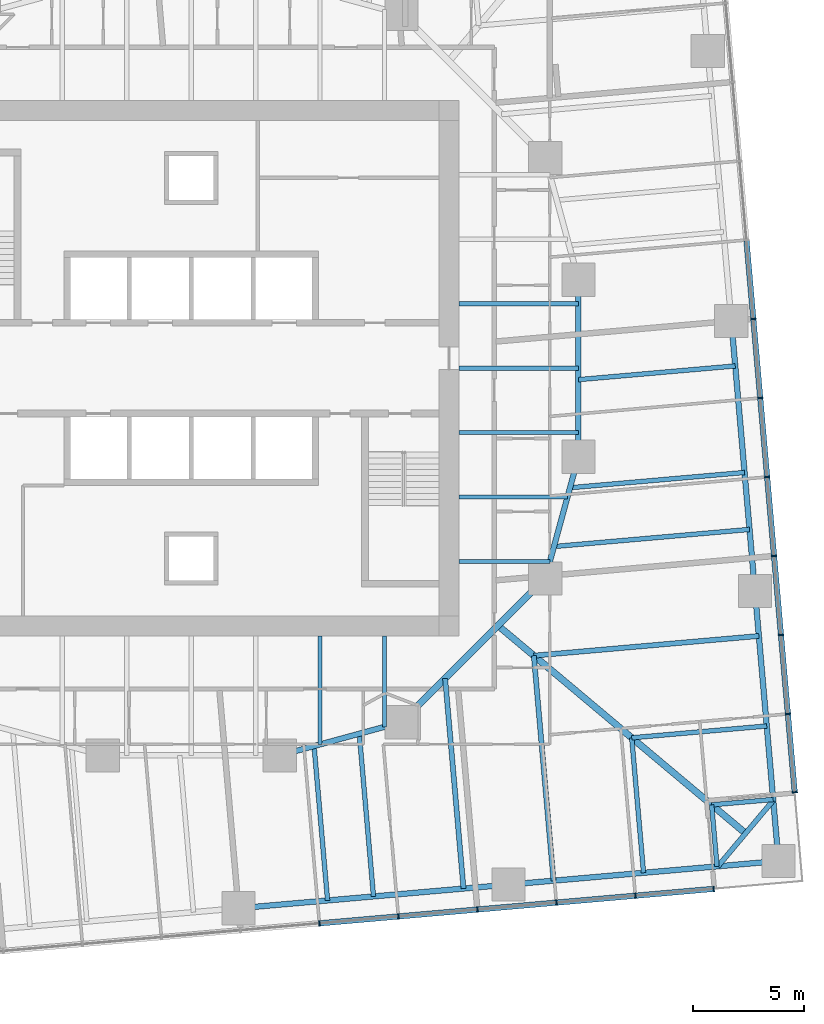
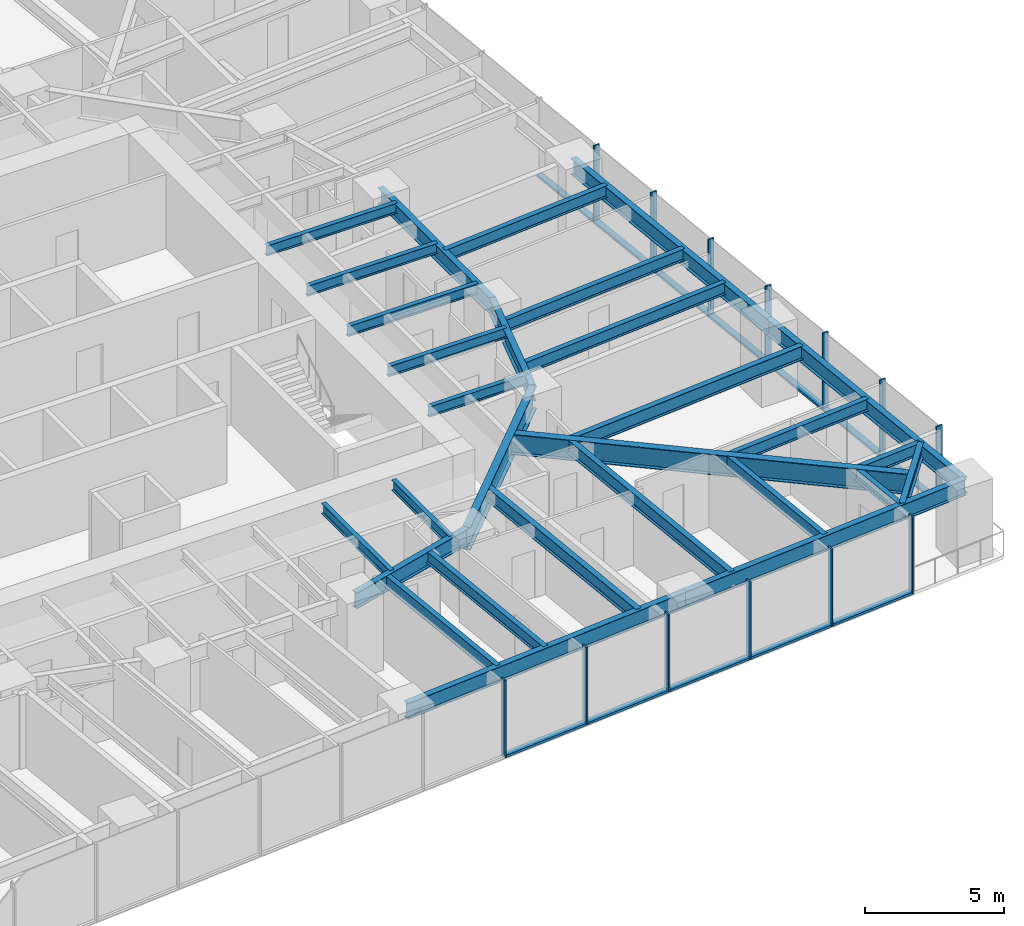
# One storey, part 4 of 14: 29 beams, 25 members, 2 elements without a shape of their own.
"""IFC4 building model written with IfcOpenShell, lengths in metres."""

from ifc_helpers import new_model, si_unit, direction, frame, origin, origin_2d, place, context, subcontext, project, spatial, rectangle, i_section, extrude, material, material_profile, profile_set, type_object, element, aggregate, save


model = new_model("IFC4")

# Units and contexts
model_context = context("Model", 3, precision=1e-05, world=origin(), true_north=direction((0.0, 1.0)))
body_context = subcontext(model_context, "Body", "Model", "MODEL_VIEW")
ifc_project = project(units=[si_unit("LENGTHUNIT", "METRE"), si_unit("AREAUNIT", "SQUARE_METRE"), si_unit("VOLUMEUNIT", "CUBIC_METRE"), si_unit("PLANEANGLEUNIT", "RADIAN"), si_unit("MASSUNIT", "GRAM", prefix="KILO")], contexts=[model_context])

# Site, building, storey
site_placement = place(None, origin())
site = spatial("IfcSite", under=ifc_project, at=site_placement, CompositionType="ELEMENT")
building_placement = place(site_placement, origin())
building = spatial("IfcBuilding", under=site, at=building_placement, Name="Torsade Residences", CompositionType="ELEMENT")
storey_placement = place(building_placement, frame((0.0, 0.0, 60.800048828125)))
storey = spatial("IfcBuildingStorey", under=building, at=storey_placement, Name="L16", CompositionType="ELEMENT", Elevation=60.800048828125)

# Beams
ifc_material_1 = material(Name="Steel grade 300", Category="steel")
ifc_material_profile_1 = material_profile(ifc_material_1, i_section(OverallWidth=0.300048828125, OverallDepth=0.89990234375, WebThickness=0.011962890625, FlangeThickness=0.02490234375, at=origin_2d()), Name="900WB175")
ifc_profile_set_1 = profile_set([ifc_material_profile_1], Name="Steel grade 300")
beam_type_1 = type_object("IfcBeamType", Name="CORNER GIRDER 900WB175", PredefinedType="BEAM", material=ifc_profile_set_1)
beam_1_placement = place(storey_placement, frame((65.052490234375, 8.978515625, 2.800048828125), z_axis=(-0.766046281307, 0.642785419012, 0.0), x_axis=(-0.642785419012, -0.766046281307, 0.0)))
element("IfcBeam", 1, at=beam_1_placement, inside=storey, type_object=beam_type_1, Name="Corner girder 05 L17", PredefinedType="BEAM", context=body_context, shape_type="SweptSolid", body=[
    extrude(i_section(OverallWidth=0.300048828125, OverallDepth=0.89990234375, WebThickness=0.011962890625, FlangeThickness=0.02490234375, at=origin_2d()), origin(), (0.0, 0.0, 1.0), 14.603515625),
])
ifc_material_2 = material(Name="Steel grade 300", Category="steel")
ifc_material_profile_2 = material_profile(ifc_material_2, i_section(OverallWidth=0.22802734375, OverallDepth=0.60205078125, WebThickness=0.010498046875, FlangeThickness=0.014892578125, FilletRadius=0.013916015625, at=origin_2d()), Name="610UB101")
ifc_profile_set_2 = profile_set([ifc_material_profile_2], Name="Steel grade 300")
beam_type_2 = type_object("IfcBeamType", Name="CORNER TRIMMER 610UB101", PredefinedType="BEAM", material=ifc_profile_set_2)
beam_2_placement = place(storey_placement, frame((66.302490234375, 10.468017578125, 2.948974609375), z_axis=(-0.642804819911, -0.766030001697, 0.0), x_axis=(0.766030001697, -0.642804819911, 0.0)))
element("IfcBeam", 2, at=beam_2_placement, inside=storey, type_object=beam_type_2, Name="Corner trimmer 05 L17", PredefinedType="BEAM", context=body_context, shape_type="SweptSolid", body=[
    extrude(i_section(OverallWidth=0.22802734375, OverallDepth=0.60205078125, WebThickness=0.010498046875, FlangeThickness=0.014892578125, FilletRadius=0.013916015625, at=origin_2d()), origin(), (0.0, 0.0, 1.0), 3.88916015625),
])

# Curtain wall, members
ifc_material_3 = material(Name="Aluminium and glass", Category="aluminium")
curtain_wall_type = type_object("IfcCurtainWallType", Name="FRITTED GLASS CURTAIN WALL LOW ZONE", PredefinedType="NOTDEFINED", material=ifc_material_3)
curtain_wall_1_placement = place(storey_placement, origin())
curtain_wall_1 = element("IfcCurtainWall", 3, at=curtain_wall_1_placement, inside=storey, type_object=curtain_wall_type, Name="Curtain wall L16 face 1", PredefinedType="NOTDEFINED")
ifc_material_4 = material(Name="Aluminium mullion", Category="aluminium")
ifc_material_profile_3 = material_profile(ifc_material_4, rectangle(XDim=0.25, YDim=0.06494140625, at=origin_2d()), Name="CURTAIN WALL MULLION 250x65")
ifc_profile_set_3 = profile_set([ifc_material_profile_3], Name="Aluminium mullion")
member_type_1 = type_object("IfcMemberType", Name="CURTAIN WALL MULLION 250x65", PredefinedType="MULLION", material=ifc_profile_set_3)
member_1_placement = place(storey_placement, frame((45.792236328125, 4.909423828125, 0.0), z_axis=(0.0, 0.0, 1.0), x_axis=(-0.087155744208, 0.996194697964, 0.0)))
member_1 = element("IfcMember", 4, at=member_1_placement, type_object=member_type_1, Name="Mullion 8", PredefinedType="MULLION", context=body_context, shape_type="SweptSolid", body=[
    extrude(rectangle(XDim=0.25, YDim=0.06494140625, at=origin_2d()), origin(), (0.0, 0.0, 1.0), 3.39990234375),
])
member_2_placement = place(storey_placement, frame((49.36181640625, 5.2216796875, 0.0), z_axis=(0.0, 0.0, 1.0), x_axis=(-0.087155744208, 0.996194697964, 0.0)))
member_2 = element("IfcMember", 5, at=member_2_placement, type_object=member_type_1, Name="Mullion 9", PredefinedType="MULLION", context=body_context, shape_type="SweptSolid", body=[
    extrude(rectangle(XDim=0.25, YDim=0.06494140625, at=origin_2d()), origin(), (0.0, 0.0, 1.0), 3.39990234375),
])
member_3_placement = place(storey_placement, frame((52.931640625, 5.533935546875, 0.0), z_axis=(0.0, 0.0, 1.0), x_axis=(-0.087155744208, 0.996194697964, 0.0)))
member_3 = element("IfcMember", 6, at=member_3_placement, type_object=member_type_1, Name="Mullion 10", PredefinedType="MULLION", context=body_context, shape_type="SweptSolid", body=[
    extrude(rectangle(XDim=0.25, YDim=0.06494140625, at=origin_2d()), origin(), (0.0, 0.0, 1.0), 3.39990234375),
])
member_4_placement = place(storey_placement, frame((56.501220703125, 5.84619140625, 0.0), z_axis=(0.0, 0.0, 1.0), x_axis=(-0.087155744208, 0.996194697964, 0.0)))
member_4 = element("IfcMember", 7, at=member_4_placement, type_object=member_type_1, Name="Mullion 11", PredefinedType="MULLION", context=body_context, shape_type="SweptSolid", body=[
    extrude(rectangle(XDim=0.25, YDim=0.06494140625, at=origin_2d()), origin(), (0.0, 0.0, 1.0), 3.39990234375),
])
member_5_placement = place(storey_placement, frame((60.071044921875, 6.15869140625, 0.0), z_axis=(0.0, 0.0, 1.0), x_axis=(-0.087155744208, 0.996194697964, 0.0)))
member_5 = element("IfcMember", 8, at=member_5_placement, type_object=member_type_1, Name="Mullion 12", PredefinedType="MULLION", context=body_context, shape_type="SweptSolid", body=[
    extrude(rectangle(XDim=0.25, YDim=0.06494140625, at=origin_2d()), origin(), (0.0, 0.0, 1.0), 3.39990234375),
])
member_6_placement = place(storey_placement, frame((63.6083984375, 6.468017578125, 0.0), z_axis=(0.0, 0.0, 1.0), x_axis=(-0.087155744208, 0.996194697964, 0.0)))
member_6 = element("IfcMember", 9, at=member_6_placement, type_object=member_type_1, Name="Mullion 13", PredefinedType="MULLION", context=body_context, shape_type="SweptSolid", body=[
    extrude(rectangle(XDim=0.25, YDim=0.06494140625, at=origin_2d()), origin(), (0.0, 0.0, 1.0), 3.39990234375),
])

curtain_wall_2_placement = place(storey_placement, origin())
curtain_wall_2 = element("IfcCurtainWall", 10, at=curtain_wall_2_placement, inside=storey, type_object=curtain_wall_type, Name="Curtain wall L16 face 4", PredefinedType="NOTDEFINED")
member_7_placement = place(storey_placement, frame((67.27392578125, 10.836669921875, 0.0), z_axis=(0.0, 0.0, 1.0), x_axis=(-0.996194697964, -0.087155744208, 0.0)))
member_7 = element("IfcMember", 11, at=member_7_placement, type_object=member_type_1, Name="Mullion 1", PredefinedType="MULLION", context=body_context, shape_type="SweptSolid", body=[
    extrude(rectangle(XDim=0.25, YDim=0.06494140625, at=origin_2d()), origin(), (0.0, 0.0, 1.0), 3.39990234375),
])
member_8_placement = place(storey_placement, frame((66.964599609375, 14.3740234375, 0.0), z_axis=(0.0, 0.0, 1.0), x_axis=(-0.996194697964, -0.087155744208, 0.0)))
member_8 = element("IfcMember", 12, at=member_8_placement, type_object=member_type_1, Name="Mullion 2", PredefinedType="MULLION", context=body_context, shape_type="SweptSolid", body=[
    extrude(rectangle(XDim=0.25, YDim=0.06494140625, at=origin_2d()), origin(), (0.0, 0.0, 1.0), 3.39990234375),
])
member_9_placement = place(storey_placement, frame((66.652099609375, 17.943603515625, 0.0), z_axis=(0.0, 0.0, 1.0), x_axis=(-0.996194697964, -0.087155744208, 0.0)))
member_9 = element("IfcMember", 13, at=member_9_placement, type_object=member_type_1, Name="Mullion 3", PredefinedType="MULLION", context=body_context, shape_type="SweptSolid", body=[
    extrude(rectangle(XDim=0.25, YDim=0.06494140625, at=origin_2d()), origin(), (0.0, 0.0, 1.0), 3.39990234375),
])
member_10_placement = place(storey_placement, frame((66.33984375, 21.513427734375, 0.0), z_axis=(0.0, 0.0, 1.0), x_axis=(-0.996194697964, -0.087155744208, 0.0)))
member_10 = element("IfcMember", 14, at=member_10_placement, type_object=member_type_1, Name="Mullion 4", PredefinedType="MULLION", context=body_context, shape_type="SweptSolid", body=[
    extrude(rectangle(XDim=0.25, YDim=0.06494140625, at=origin_2d()), origin(), (0.0, 0.0, 1.0), 3.39990234375),
])
member_11_placement = place(storey_placement, frame((66.027587890625, 25.0830078125, 0.0), z_axis=(0.0, 0.0, 1.0), x_axis=(-0.996194697964, -0.087155744208, 0.0)))
member_11 = element("IfcMember", 15, at=member_11_placement, type_object=member_type_1, Name="Mullion 5", PredefinedType="MULLION", context=body_context, shape_type="SweptSolid", body=[
    extrude(rectangle(XDim=0.25, YDim=0.06494140625, at=origin_2d()), origin(), (0.0, 0.0, 1.0), 3.39990234375),
])
member_12_placement = place(storey_placement, frame((65.71533203125, 28.65283203125, 0.0), z_axis=(0.0, 0.0, 1.0), x_axis=(-0.996194697964, -0.087155744208, 0.0)))
member_12 = element("IfcMember", 16, at=member_12_placement, type_object=member_type_1, Name="Mullion 6", PredefinedType="MULLION", context=body_context, shape_type="SweptSolid", body=[
    extrude(rectangle(XDim=0.25, YDim=0.06494140625, at=origin_2d()), origin(), (0.0, 0.0, 1.0), 3.39990234375),
])
member_13_placement = place(storey_placement, frame((65.403076171875, 32.222412109375, 0.0), z_axis=(0.0, 0.0, 1.0), x_axis=(-0.996194697964, -0.087155744208, 0.0)))
member_13 = element("IfcMember", 17, at=member_13_placement, type_object=member_type_1, Name="Mullion 7", PredefinedType="MULLION", context=body_context, shape_type="SweptSolid", body=[
    extrude(rectangle(XDim=0.25, YDim=0.06494140625, at=origin_2d()), origin(), (0.0, 0.0, 1.0), 3.39990234375),
])

# Member
ifc_material_5 = material(Name="Aluminium transom", Category="aluminium")
ifc_material_profile_4 = material_profile(ifc_material_5, rectangle(XDim=0.25, YDim=0.10009765625, at=origin_2d()), Name="CURTAIN WALL TRANSOM 250x100")
ifc_profile_set_4 = profile_set([ifc_material_profile_4], Name="Aluminium transom")
member_type_2 = type_object("IfcMemberType", Name="CURTAIN WALL TRANSOM 250x100", PredefinedType="USERDEFINED", material=ifc_profile_set_4)
member_14_placement = place(storey_placement, frame((45.824462890625, 4.912109375, 0.050048828125), z_axis=(0.996195148363, 0.08715059597, 0.0), x_axis=(-0.08715059597, 0.996195148363, 0.0)))
member_14 = element("IfcMember", 18, at=member_14_placement, type_object=member_type_2, Name="Transom 8.1", ObjectType="TRANSOM", PredefinedType="USERDEFINED", context=body_context, shape_type="SweptSolid", body=[
    extrude(rectangle(XDim=0.25, YDim=0.10009765625, at=origin_2d()), origin(), (0.0, 0.0, 1.0), 3.5185546875),
])

member_15_placement = place(storey_placement, frame((49.394287109375, 5.224365234375, 0.050048828125), z_axis=(0.996194621295, 0.087156620531, 0.0), x_axis=(-0.087156620531, 0.996194621295, 0.0)))
member_15 = element("IfcMember", 19, at=member_15_placement, type_object=member_type_2, Name="Transom 9.1", ObjectType="TRANSOM", PredefinedType="USERDEFINED", context=body_context, shape_type="SweptSolid", body=[
    extrude(rectangle(XDim=0.25, YDim=0.10009765625, at=origin_2d()), origin(), (0.0, 0.0, 1.0), 3.518310546875),
])

member_16_placement = place(storey_placement, frame((52.9638671875, 5.536865234375, 0.050048828125), z_axis=(0.996195148363, 0.08715059597, 0.0), x_axis=(-0.08715059597, 0.996195148363, 0.0)))
member_16 = element("IfcMember", 20, at=member_16_placement, type_object=member_type_2, Name="Transom 10.1", ObjectType="TRANSOM", PredefinedType="USERDEFINED", context=body_context, shape_type="SweptSolid", body=[
    extrude(rectangle(XDim=0.25, YDim=0.10009765625, at=origin_2d()), origin(), (0.0, 0.0, 1.0), 3.5185546875),
])

member_17_placement = place(storey_placement, frame((56.53369140625, 5.84912109375, 0.050048828125), z_axis=(0.996194621295, 0.087156620531, 0.0), x_axis=(-0.087156620531, 0.996194621295, 0.0)))
member_17 = element("IfcMember", 21, at=member_17_placement, type_object=member_type_2, Name="Transom 11.1", ObjectType="TRANSOM", PredefinedType="USERDEFINED", context=body_context, shape_type="SweptSolid", body=[
    extrude(rectangle(XDim=0.25, YDim=0.10009765625, at=origin_2d()), origin(), (0.0, 0.0, 1.0), 3.518310546875),
])

member_18_placement = place(storey_placement, frame((60.103271484375, 6.161376953125, 0.050048828125), z_axis=(0.996191284475, 0.08719475177, 0.0), x_axis=(-0.08719475177, 0.996191284475, 0.0)))
member_18 = element("IfcMember", 22, at=member_18_placement, type_object=member_type_2, Name="Transom 12.1", ObjectType="TRANSOM", PredefinedType="USERDEFINED", context=body_context, shape_type="SweptSolid", body=[
    extrude(rectangle(XDim=0.25, YDim=0.10009765625, at=origin_2d()), origin(), (0.0, 0.0, 1.0), 3.48583984375),
])

aggregate(curtain_wall_1, [member_1, member_2, member_3, member_4, member_5, member_6, member_14, member_15, member_16, member_17, member_18])

member_19_placement = place(storey_placement, frame((67.271240234375, 10.869140625, 0.050048828125), z_axis=(-0.0872008357, 0.996190751941, 0.0), x_axis=(-0.996190751941, -0.0872008357, 0.0)))
member_19 = element("IfcMember", 23, at=member_19_placement, type_object=member_type_2, Name="Transom 1.1", ObjectType="TRANSOM", PredefinedType="USERDEFINED", context=body_context, shape_type="SweptSolid", body=[
    extrude(rectangle(XDim=0.25, YDim=0.10009765625, at=origin_2d()), origin(), (0.0, 0.0, 1.0), 3.485595703125),
])

member_20_placement = place(storey_placement, frame((66.961669921875, 14.40625, 0.050048828125), z_axis=(-0.08715059597, 0.996195148363, 0.0), x_axis=(-0.996195148363, -0.08715059597, 0.0)))
member_20 = element("IfcMember", 24, at=member_20_placement, type_object=member_type_2, Name="Transom 2.1", ObjectType="TRANSOM", PredefinedType="USERDEFINED", context=body_context, shape_type="SweptSolid", body=[
    extrude(rectangle(XDim=0.25, YDim=0.10009765625, at=origin_2d()), origin(), (0.0, 0.0, 1.0), 3.5185546875),
])

member_21_placement = place(storey_placement, frame((66.6494140625, 17.97607421875, 0.050048828125), z_axis=(-0.087156620531, 0.996194621295, 0.0), x_axis=(-0.996194621295, -0.087156620531, 0.0)))
member_21 = element("IfcMember", 25, at=member_21_placement, type_object=member_type_2, Name="Transom 3.1", ObjectType="TRANSOM", PredefinedType="USERDEFINED", context=body_context, shape_type="SweptSolid", body=[
    extrude(rectangle(XDim=0.25, YDim=0.10009765625, at=origin_2d()), origin(), (0.0, 0.0, 1.0), 3.518310546875),
])

member_22_placement = place(storey_placement, frame((66.337158203125, 21.545654296875, 0.050048828125), z_axis=(-0.08715059597, 0.996195148363, 0.0), x_axis=(-0.996195148363, -0.08715059597, 0.0)))
member_22 = element("IfcMember", 26, at=member_22_placement, type_object=member_type_2, Name="Transom 4.1", ObjectType="TRANSOM", PredefinedType="USERDEFINED", context=body_context, shape_type="SweptSolid", body=[
    extrude(rectangle(XDim=0.25, YDim=0.10009765625, at=origin_2d()), origin(), (0.0, 0.0, 1.0), 3.5185546875),
])

member_23_placement = place(storey_placement, frame((66.024658203125, 25.115478515625, 0.050048828125), z_axis=(-0.087156620531, 0.996194621295, 0.0), x_axis=(-0.996194621295, -0.087156620531, 0.0)))
member_23 = element("IfcMember", 27, at=member_23_placement, type_object=member_type_2, Name="Transom 5.1", ObjectType="TRANSOM", PredefinedType="USERDEFINED", context=body_context, shape_type="SweptSolid", body=[
    extrude(rectangle(XDim=0.25, YDim=0.10009765625, at=origin_2d()), origin(), (0.0, 0.0, 1.0), 3.518310546875),
])

member_24_placement = place(storey_placement, frame((65.71240234375, 28.68505859375, 0.050048828125), z_axis=(-0.08715059597, 0.996195148363, 0.0), x_axis=(-0.996195148363, -0.08715059597, 0.0)))
member_24 = element("IfcMember", 28, at=member_24_placement, type_object=member_type_2, Name="Transom 6.1", ObjectType="TRANSOM", PredefinedType="USERDEFINED", context=body_context, shape_type="SweptSolid", body=[
    extrude(rectangle(XDim=0.25, YDim=0.10009765625, at=origin_2d()), origin(), (0.0, 0.0, 1.0), 3.5185546875),
])

member_25_placement = place(storey_placement, frame((65.400146484375, 32.2548828125, 0.050048828125), z_axis=(-0.087156620531, 0.996194621295, 0.0), x_axis=(-0.996194621295, -0.087156620531, 0.0)))
member_25 = element("IfcMember", 29, at=member_25_placement, type_object=member_type_2, Name="Transom 7.1", ObjectType="TRANSOM", PredefinedType="USERDEFINED", context=body_context, shape_type="SweptSolid", body=[
    extrude(rectangle(XDim=0.25, YDim=0.10009765625, at=origin_2d()), origin(), (0.0, 0.0, 1.0), 3.518310546875),
])

aggregate(curtain_wall_2, [member_7, member_8, member_9, member_10, member_11, member_12, member_13, member_19, member_20, member_21, member_22, member_23, member_24, member_25])

# Beams
ifc_material_6 = material(Name="Steel grade 300", Category="steel")
ifc_material_profile_5 = material_profile(ifc_material_6, i_section(OverallWidth=0.25, OverallDepth=0.699951171875, WebThickness=0.010009765625, FlangeThickness=0.02001953125, at=origin_2d()), Name="700WB130")
ifc_profile_set_5 = profile_set([ifc_material_profile_5], Name="Steel grade 300")
beam_type_3 = type_object("IfcBeamType", Name="EDGE BEAM 700WB130", PredefinedType="SPANDREL", material=ifc_profile_set_5)
for number, where, z_axis, x_axis, name in (
    (30, (42.13525390625, 5.59326171875, 2.89990234375), (0.996194907201, 0.08715335259, 0.0), (-0.08715335259, 0.996194907201, 0.0), "Edge beam 03 L17"),
    (31, (54.338623046875, 6.660888671875, 2.89990234375), (0.996194907201, 0.08715335259, 0.0), (-0.08715335259, 0.996194907201, 0.0), "Edge beam 04 L17"),
    (32, (66.5419921875, 7.728515625, 2.89990234375), (-0.08715335259, 0.996194907201, 0.0), (-0.996194907201, -0.08715335259, 0.0), "Edge beam 05 L17"),
    (33, (65.474365234375, 19.931884765625, 2.89990234375), (-0.08715335259, 0.996194907201, 0.0), (-0.996194907201, -0.08715335259, 0.0), "Edge beam 06 L17"),
):
    element("IfcBeam", number, at=place(storey_placement, frame(where, z_axis=z_axis, x_axis=x_axis)), inside=storey, type_object=beam_type_3, Name=name, PredefinedType="SPANDREL", context=body_context, shape_type="SweptSolid", body=[
        extrude(i_section(OverallWidth=0.25, OverallDepth=0.699951171875, WebThickness=0.010009765625, FlangeThickness=0.02001953125, at=origin_2d()), origin(), (0.0, 0.0, 1.0), 12.25),
    ])
ifc_material_7 = material(Name="Steel grade 300", Category="steel")
ifc_material_profile_6 = material_profile(ifc_material_7, i_section(OverallWidth=0.18994140625, OverallDepth=0.4541015625, WebThickness=0.008544921875, FlangeThickness=0.0126953125, FilletRadius=0.011474609375, at=origin_2d()), Name="460UB67.1")
ifc_profile_set_6 = profile_set([ifc_material_profile_6], Name="Steel grade 300")
beam_type_4 = type_object("IfcBeamType", Name="INNER FLOOR BEAM 460UB67.1", PredefinedType="JOIST", material=ifc_profile_set_6)
beam_3_placement = place(storey_placement, frame((48.737548828125, 17.89990234375, 3.02294921875), z_axis=(0.0, -1.0, 0.0), x_axis=(1.0, 0.0, 0.0)))
element("IfcBeam", 34, at=beam_3_placement, inside=storey, type_object=beam_type_4, Name="Inner floor beam IS01 L17", PredefinedType="JOIST", context=body_context, shape_type="SweptSolid", body=[
    extrude(i_section(OverallWidth=0.18994140625, OverallDepth=0.4541015625, WebThickness=0.008544921875, FlangeThickness=0.0126953125, FilletRadius=0.011474609375, at=origin_2d()), origin(), (0.0, 0.0, 1.0), 4.10791015625),
])
beam_4_placement = place(storey_placement, frame((45.824951171875, 17.89990234375, 3.02294921875), z_axis=(0.0, -1.0, 0.0), x_axis=(1.0, 0.0, 0.0)))
element("IfcBeam", 35, at=beam_4_placement, inside=storey, type_object=beam_type_4, Name="Inner floor beam IS02 L17", PredefinedType="JOIST", context=body_context, shape_type="SweptSolid", body=[
    extrude(i_section(OverallWidth=0.18994140625, OverallDepth=0.4541015625, WebThickness=0.008544921875, FlangeThickness=0.0126953125, FilletRadius=0.011474609375, at=origin_2d()), origin(), (0.0, 0.0, 1.0), 4.902099609375),
])
beam_5_placement = place(storey_placement, frame((52.10009765625, 21.262451171875, 3.02294921875), z_axis=(1.0, 0.0, 0.0), x_axis=(0.0, 1.0, 0.0)))
element("IfcBeam", 36, at=beam_5_placement, inside=storey, type_object=beam_type_4, Name="Inner floor beam IE01 L17", PredefinedType="JOIST", context=body_context, shape_type="SweptSolid", body=[
    extrude(i_section(OverallWidth=0.18994140625, OverallDepth=0.4541015625, WebThickness=0.008544921875, FlangeThickness=0.0126953125, FilletRadius=0.011474609375, at=origin_2d()), origin(), (0.0, 0.0, 1.0), 4.10791015625),
])
beam_6_placement = place(storey_placement, frame((52.10009765625, 24.175048828125, 3.02294921875), z_axis=(1.0, 0.0, 0.0), x_axis=(0.0, 1.0, 0.0)))
element("IfcBeam", 37, at=beam_6_placement, inside=storey, type_object=beam_type_4, Name="Inner floor beam IE02 L17", PredefinedType="JOIST", context=body_context, shape_type="SweptSolid", body=[
    extrude(i_section(OverallWidth=0.18994140625, OverallDepth=0.4541015625, WebThickness=0.008544921875, FlangeThickness=0.0126953125, FilletRadius=0.011474609375, at=origin_2d()), origin(), (0.0, 0.0, 1.0), 4.902099609375),
])
for number, where, z_axis, x_axis, name in (
    (38, (52.10009765625, 27.08740234375, 3.02294921875), (1.0, 0.0, 0.0), (0.0, 1.0, 0.0), "Inner floor beam IE03 L17"),
    (39, (52.10009765625, 30.0, 3.02294921875), (1.0, 0.0, 0.0), (0.0, 1.0, 0.0), "Inner floor beam IE04 L17"),
    (40, (52.10009765625, 32.91259765625, 3.02294921875), (1.0, 0.0, 0.0), (0.0, 1.0, 0.0), "Inner floor beam IE05 L17"),
):
    element("IfcBeam", number, at=place(storey_placement, frame(where, z_axis=z_axis, x_axis=x_axis)), inside=storey, type_object=beam_type_4, Name=name, PredefinedType="JOIST", context=body_context, shape_type="SweptSolid", body=[
        extrude(i_section(OverallWidth=0.18994140625, OverallDepth=0.4541015625, WebThickness=0.008544921875, FlangeThickness=0.0126953125, FilletRadius=0.011474609375, at=origin_2d()), origin(), (0.0, 0.0, 1.0), 5.39990234375),
    ])
ifc_material_8 = material(Name="Steel grade 300", Category="steel")
ifc_material_profile_7 = material_profile(ifc_material_8, i_section(OverallWidth=0.300048828125, OverallDepth=1.0, WebThickness=0.01611328125, FlangeThickness=0.028076171875, at=origin_2d()), Name="1000WB215")
ifc_profile_set_7 = profile_set([ifc_material_profile_7], Name="Steel grade 300")
beam_type_5 = type_object("IfcBeamType", Name="RING CORNER GIRDER 1000WB215", PredefinedType="BEAM", material=ifc_profile_set_7)
beam_7_placement = place(storey_placement, frame((49.5, 14.0, 2.75), z_axis=(0.707106781187, 0.707106781187, 0.0), x_axis=(-0.707106781187, 0.707106781187, 0.0)))
element("IfcBeam", 41, at=beam_7_placement, inside=storey, type_object=beam_type_5, Name="Ring girder IR15 L17", PredefinedType="BEAM", context=body_context, shape_type="SweptSolid", body=[
    extrude(i_section(OverallWidth=0.300048828125, OverallDepth=1.0, WebThickness=0.01611328125, FlangeThickness=0.028076171875, at=origin_2d()), origin(), (0.0, 0.0, 1.0), 9.1923828125),
])
ifc_material_9 = material(Name="Steel grade 300", Category="steel")
ifc_material_profile_8 = material_profile(ifc_material_9, i_section(OverallWidth=0.25, OverallDepth=0.699951171875, WebThickness=0.010009765625, FlangeThickness=0.02001953125, at=origin_2d()), Name="700WB130")
ifc_profile_set_8 = profile_set([ifc_material_profile_8], Name="Steel grade 300")
beam_type_6 = type_object("IfcBeamType", Name="RING GIRDER 700WB130", PredefinedType="BEAM", material=ifc_profile_set_8)
beam_8_placement = place(storey_placement, frame((57.5, 26.0, 2.89990234375), z_axis=(0.0, 1.0, 0.0), x_axis=(-1.0, 0.0, 0.0)))
element("IfcBeam", 42, at=beam_8_placement, inside=storey, type_object=beam_type_6, Name="Ring girder IR01 L17", PredefinedType="BEAM", context=body_context, shape_type="SweptSolid", body=[
    extrude(i_section(OverallWidth=0.25, OverallDepth=0.699951171875, WebThickness=0.010009765625, FlangeThickness=0.02001953125, at=origin_2d()), origin(), (0.0, 0.0, 1.0), 8.0),
])
for number, where, z_axis, x_axis, name in (
    (43, (44.0, 12.5, 2.89990234375), (0.964763821238, 0.263117405792, 0.0), (-0.263117405792, 0.964763821238, 0.0), "Ring girder IR14 L17"),
    (44, (56.0, 20.5, 2.89990234375), (0.263117405792, 0.964763821238, 0.0), (-0.964763821238, 0.263117405792, 0.0), "Ring girder IR16 L17"),
):
    element("IfcBeam", number, at=place(storey_placement, frame(where, z_axis=z_axis, x_axis=x_axis)), inside=storey, type_object=beam_type_6, Name=name, PredefinedType="BEAM", context=body_context, shape_type="SweptSolid", body=[
        extrude(i_section(OverallWidth=0.25, OverallDepth=0.699951171875, WebThickness=0.010009765625, FlangeThickness=0.02001953125, at=origin_2d()), origin(), (0.0, 0.0, 1.0), 5.700927734375),
    ])
ifc_material_10 = material(Name="Steel grade 300", Category="steel")
ifc_material_profile_9 = material_profile(ifc_material_10, i_section(OverallWidth=0.208984375, OverallDepth=0.528076171875, WebThickness=0.009521484375, FlangeThickness=0.01318359375, FilletRadius=0.013916015625, at=origin_2d()), Name="530UB82.0")
ifc_profile_set_9 = profile_set([ifc_material_profile_9], Name="Steel grade 300")
beam_type_7 = type_object("IfcBeamType", Name="SECONDARY BEAM 530UB82.0", PredefinedType="JOIST", material=ifc_profile_set_9)
beam_9_placement = place(storey_placement, frame((46.16162109375, 5.945556640625, 2.98583984375), z_axis=(-0.087175598142, 0.99619296077, 0.0), x_axis=(-0.99619296077, -0.087175598142, 0.0)))
element("IfcBeam", 45, at=beam_9_placement, inside=storey, type_object=beam_type_7, Name="Floor beam FS07 L17", PredefinedType="JOIST", context=body_context, shape_type="SweptSolid", body=[
    extrude(i_section(OverallWidth=0.208984375, OverallDepth=0.528076171875, WebThickness=0.009521484375, FlangeThickness=0.01318359375, FilletRadius=0.013916015625, at=origin_2d()), origin(), (0.0, 0.0, 1.0), 7.004150390625),
])
beam_10_placement = place(storey_placement, frame((48.237060546875, 6.126953125, 2.98583984375), z_axis=(-0.087156282128, 0.996194650902, 0.0), x_axis=(-0.996194650902, -0.087156282128, 0.0)))
element("IfcBeam", 46, at=beam_10_placement, inside=storey, type_object=beam_type_7, Name="Floor beam FS08 L17", PredefinedType="JOIST", context=body_context, shape_type="SweptSolid", body=[
    extrude(i_section(OverallWidth=0.208984375, OverallDepth=0.528076171875, WebThickness=0.009521484375, FlangeThickness=0.01318359375, FilletRadius=0.013916015625, at=origin_2d()), origin(), (0.0, 0.0, 1.0), 7.381103515625),
])
beam_11_placement = place(storey_placement, frame((60.4404296875, 7.19482421875, 2.98583984375), z_axis=(-0.087174861801, 0.996193025206, 0.0), x_axis=(-0.996193025206, -0.087174861801, 0.0)))
element("IfcBeam", 47, at=beam_11_placement, inside=storey, type_object=beam_type_7, Name="Floor beam FS11 L17", PredefinedType="JOIST", context=body_context, shape_type="SweptSolid", body=[
    extrude(i_section(OverallWidth=0.208984375, OverallDepth=0.528076171875, WebThickness=0.009521484375, FlangeThickness=0.01318359375, FilletRadius=0.013916015625, at=origin_2d()), origin(), (0.0, 0.0, 1.0), 6.125),
])
for number, where, z_axis, x_axis, name in (
    (48, (63.760986328125, 7.4853515625, 2.98583984375), (-0.087105111923, 0.996199126418, 0.0), (-0.996199126418, -0.087105111923, 0.0), "Floor beam FS12 L17"),
    (49, (66.298828125, 10.509521484375, 2.98583984375), (-0.996199126418, -0.087105111923, 0.0), (0.087105111923, -0.996199126418, 0.0), "Floor beam FE01 L17"),
):
    element("IfcBeam", number, at=place(storey_placement, frame(where, z_axis=z_axis, x_axis=x_axis)), inside=storey, type_object=beam_type_7, Name=name, PredefinedType="JOIST", context=body_context, shape_type="SweptSolid", body=[
        extrude(i_section(OverallWidth=0.208984375, OverallDepth=0.528076171875, WebThickness=0.009521484375, FlangeThickness=0.01318359375, FilletRadius=0.013916015625, at=origin_2d()), origin(), (0.0, 0.0, 1.0), 2.79150390625),
    ])
beam_12_placement = place(storey_placement, frame((66.00830078125, 13.830322265625, 2.98583984375), z_axis=(-0.996193328106, -0.087171400335, 0.0), x_axis=(0.087171400335, -0.996193328106, 0.0)))
element("IfcBeam", 50, at=beam_12_placement, inside=storey, type_object=beam_type_7, Name="Floor beam FE02 L17", PredefinedType="JOIST", context=body_context, shape_type="SweptSolid", body=[
    extrude(i_section(OverallWidth=0.208984375, OverallDepth=0.528076171875, WebThickness=0.009521484375, FlangeThickness=0.01318359375, FilletRadius=0.013916015625, at=origin_2d()), origin(), (0.0, 0.0, 1.0), 6.125244140625),
])
beam_13_placement = place(storey_placement, frame((65.231201171875, 22.712890625, 2.98583984375), z_axis=(-0.996195539225, -0.08714612802, 0.0), x_axis=(0.08714612802, -0.996195539225, 0.0)))
element("IfcBeam", 51, at=beam_13_placement, inside=storey, type_object=beam_type_7, Name="Floor beam FE04 L17", PredefinedType="JOIST", context=body_context, shape_type="SweptSolid", body=[
    extrude(i_section(OverallWidth=0.208984375, OverallDepth=0.528076171875, WebThickness=0.009521484375, FlangeThickness=0.01318359375, FilletRadius=0.013916015625, at=origin_2d()), origin(), (0.0, 0.0, 1.0), 8.872314453125),
])
beam_14_placement = place(storey_placement, frame((65.005859375, 25.286376953125, 2.98583984375), z_axis=(-0.996194520605, -0.087157771408, 0.0), x_axis=(0.087157771408, -0.996194520605, 0.0)))
element("IfcBeam", 52, at=beam_14_placement, inside=storey, type_object=beam_type_7, Name="Floor beam FE05 L17", PredefinedType="JOIST", context=body_context, shape_type="SweptSolid", body=[
    extrude(i_section(OverallWidth=0.208984375, OverallDepth=0.528076171875, WebThickness=0.009521484375, FlangeThickness=0.01318359375, FilletRadius=0.013916015625, at=origin_2d()), origin(), (0.0, 0.0, 1.0), 7.918701171875),
])
beam_15_placement = place(storey_placement, frame((64.584716796875, 30.101318359375, 2.98583984375), z_axis=(-0.996197182094, -0.087127345813, 0.0), x_axis=(0.087127345813, -0.996197182094, 0.0)))
element("IfcBeam", 53, at=beam_15_placement, inside=storey, type_object=beam_type_7, Name="Floor beam FE06 L17", PredefinedType="JOIST", context=body_context, shape_type="SweptSolid", body=[
    extrude(i_section(OverallWidth=0.208984375, OverallDepth=0.528076171875, WebThickness=0.009521484375, FlangeThickness=0.01318359375, FilletRadius=0.013916015625, at=origin_2d()), origin(), (0.0, 0.0, 1.0), 7.11181640625),
])
ifc_material_11 = material(Name="Steel grade 300", Category="steel")
ifc_material_profile_10 = material_profile(ifc_material_11, i_section(OverallWidth=0.22900390625, OverallDepth=0.612060546875, WebThickness=0.011962890625, FlangeThickness=0.01953125, FilletRadius=0.013916015625, at=origin_2d()), Name="610UB125")
ifc_profile_set_10 = profile_set([ifc_material_profile_10], Name="Steel grade 300")
beam_type_8 = type_object("IfcBeamType", Name="SECONDARY BEAM 610UB125", PredefinedType="JOIST", material=ifc_profile_set_10)
beam_16_placement = place(storey_placement, frame((52.3046875, 6.48291015625, 2.94384765625), z_axis=(-0.087148195942, 0.996195358323, 0.0), x_axis=(-0.996195358323, -0.087148195942, 0.0)))
element("IfcBeam", 54, at=beam_16_placement, inside=storey, type_object=beam_type_8, Name="Floor beam FS09 L17", PredefinedType="JOIST", context=body_context, shape_type="SweptSolid", body=[
    extrude(i_section(OverallWidth=0.22900390625, OverallDepth=0.612060546875, WebThickness=0.011962890625, FlangeThickness=0.01953125, FilletRadius=0.013916015625, at=origin_2d()), origin(), (0.0, 0.0, 1.0), 9.527587890625),
])
for number, where, z_axis, x_axis, name in (
    (55, (56.37255859375, 6.8388671875, 2.94384765625), (-0.087149742944, 0.996195222988, 0.0), (-0.996195222988, -0.087149742944, 0.0), "Floor beam FS10 L17"),
    (56, (65.65234375, 17.89794921875, 2.94384765625), (-0.996195222988, -0.087149742944, 0.0), (0.087149742944, -0.996195222988, 0.0), "Floor beam FE03 L17"),
):
    element("IfcBeam", number, at=place(storey_placement, frame(where, z_axis=z_axis, x_axis=x_axis)), inside=storey, type_object=beam_type_8, Name=name, PredefinedType="JOIST", context=body_context, shape_type="SweptSolid", body=[
        extrude(i_section(OverallWidth=0.22900390625, OverallDepth=0.612060546875, WebThickness=0.011962890625, FlangeThickness=0.01953125, FilletRadius=0.013916015625, at=origin_2d()), origin(), (0.0, 0.0, 1.0), 10.208251953125),
    ])

save(model, "model.ifc")
